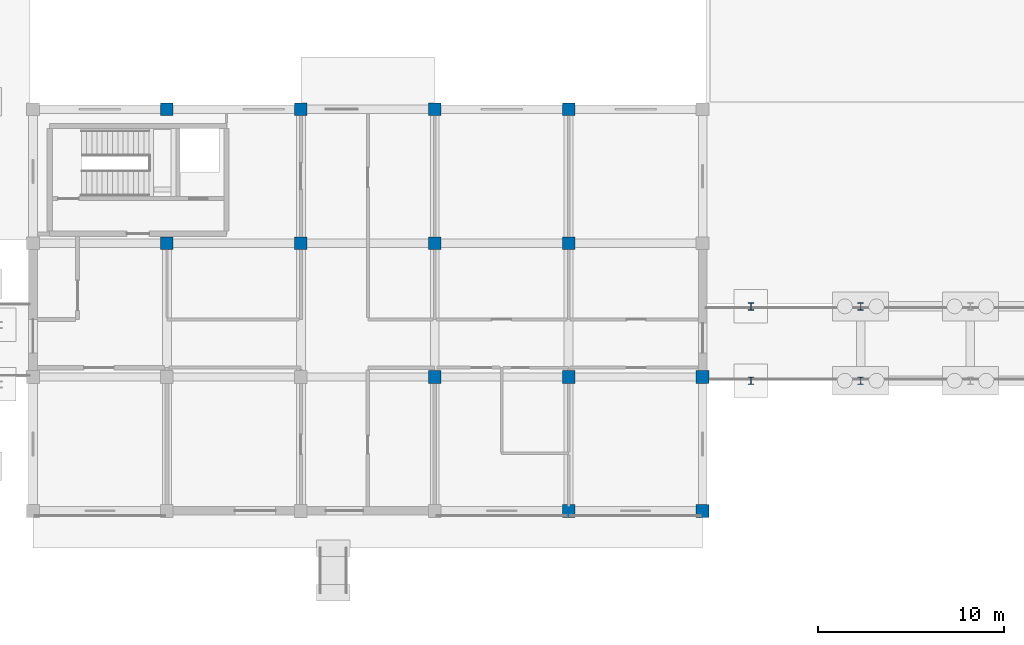
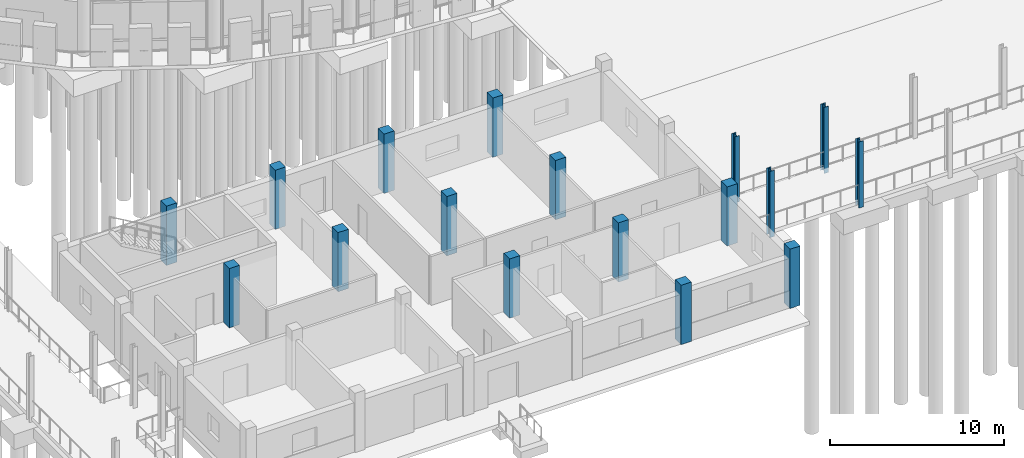
# One storey, part 9 of 98: 17 columns.
"""IFC4 building model written with IfcOpenShell, lengths in metres."""

from ifc_helpers import new_model, si_unit, direction, frame, origin, origin_2d, place, context, subcontext, project, spatial, rectangle, i_section, extrude, material, material_profile, profile_set, type_object, element, save


model = new_model("IFC4")

# Units and contexts
model_context = context("Model", 3, precision=1e-05, world=origin(), true_north=direction((0.0, 1.0)))
body_context = subcontext(model_context, "Body", "Model", "MODEL_VIEW")
ifc_project = project(units=[si_unit("LENGTHUNIT", "METRE"), si_unit("AREAUNIT", "SQUARE_METRE"), si_unit("VOLUMEUNIT", "CUBIC_METRE"), si_unit("PLANEANGLEUNIT", "RADIAN"), si_unit("MASSUNIT", "GRAM", prefix="KILO")], contexts=[model_context])

# Site, building, storey
site_placement = place(None, origin())
site = spatial("IfcSite", under=ifc_project, at=site_placement, CompositionType="ELEMENT")
building_placement = place(site_placement, origin())
building = spatial("IfcBuilding", under=site, at=building_placement, Name="Zornivar Specialist Clinic", CompositionType="ELEMENT")
storey_placement = place(building_placement, origin())
storey = spatial("IfcBuildingStorey", under=building, at=storey_placement, Name="L00", CompositionType="ELEMENT", Elevation=0.0)

# Columns
ifc_material_1 = material(Name="Concrete C35/45", Category="concrete")
ifc_material_profile_1 = material_profile(ifc_material_1, rectangle(XDim=0.679931640625, YDim=0.679931640625, at=origin_2d()), Name="RC 680x680")
ifc_profile_set_1 = profile_set([ifc_material_profile_1], Name="Concrete C35/45")
column_type_1 = type_object("IfcColumnType", Name="COL-RC-680", PredefinedType="COLUMN", material=ifc_profile_set_1)
for number, where, z_axis, x_axis, name in (
    (1, (64.800048828125, 14.39990234375, 0.0), (0.0, 0.0, 1.0), (1.0, 0.0, 0.0), "col:V3:L00:648_144"),
    (2, (64.800048828125, 21.60009765625, 0.0), (0.0, 0.0, 1.0), (1.0, 0.0, 0.0), "col:V3:L00:648_216"),
    (3, (72.0, 14.39990234375, 0.0), (0.0, 0.0, 1.0), (1.0, 0.0, 0.0), "col:V3:L00:720_144"),
    (4, (72.0, 21.60009765625, 0.0), (0.0, 0.0, 1.0), (1.0, 0.0, 0.0), "col:V3:L00:720_216"),
    (5, (79.199951171875, 7.199951171875, 0.0), (0.0, 0.0, 1.0), (1.0, 0.0, 0.0), "col:V3:L00:792_72"),
    (6, (79.199951171875, 14.39990234375, 0.0), (0.0, 0.0, 1.0), (1.0, 0.0, 0.0), "col:V3:L00:792_144"),
    (7, (79.199951171875, 21.60009765625, 0.0), (0.0, 0.0, 1.0), (1.0, 0.0, 0.0), "col:V3:L00:792_216"),
    (8, (86.39990234375, 0.0, 0.0), (0.0, 0.0, 1.0), (1.0, 0.0, 0.0), "col:V3:L00:864_0"),
    (9, (86.39990234375, 7.199951171875, 0.0), (0.0, 0.0, 1.0), (1.0, 0.0, 0.0), "col:V3:L00:864_72"),
    (10, (86.39990234375, 14.39990234375, 0.0), (0.0, 0.0, 1.0), (1.0, 0.0, 0.0), "col:V3:L00:864_144"),
    (11, (86.39990234375, 21.60009765625, 0.0), (0.0, 0.0, 1.0), (1.0, 0.0, 0.0), "col:V3:L00:864_216"),
    (12, (93.60009765625, 0.0, 0.0), (0.0, 0.0, 1.0), (1.0, 0.0, 0.0), "col:V3:L00:936_0"),
    (13, (93.60009765625, 7.199951171875, 0.0), (0.0, 0.0, 1.0), (1.0, 0.0, 0.0), "col:V3:L00:936_72"),
):
    element("IfcColumn", number, at=place(storey_placement, frame(where, z_axis=z_axis, x_axis=x_axis)), inside=storey, type_object=column_type_1, Name=name, PredefinedType="COLUMN", context=body_context, shape_type="SweptSolid", body=[
        extrude(rectangle(XDim=0.679931640625, YDim=0.679931640625, at=origin_2d()), origin(), (0.0, 0.0, 1.0), 4.14990234375),
    ])
ifc_material_2 = material(Name="Steel S355J2", Category="steel")
ifc_material_profile_2 = material_profile(ifc_material_2, i_section(OverallWidth=0.300048828125, OverallDepth=0.39990234375, WebThickness=0.013427734375, FlangeThickness=0.02392578125, FilletRadius=0.027099609375, at=origin_2d()), Name="HEB 400")
ifc_profile_set_2 = profile_set([ifc_material_profile_2], Name="Steel S355J2")
column_type_2 = type_object("IfcColumnType", Name="COL-STL-HEB400", PredefinedType="COLUMN", material=ifc_profile_set_2)
for number, where, z_axis, x_axis, name in (
    (14, (96.199951171875, 7.0, -0.35009765625), (0.0, 0.0, 1.0), (1.0, 0.0, 0.0), "col:BR4:L00:962_70"),
    (15, (96.199951171875, 11.0, -0.35009765625), (0.0, 0.0, 1.0), (1.0, 0.0, 0.0), "col:BR4:L00:962_110"),
    (16, (102.10009765625, 7.0, -0.35009765625), (0.0, 0.0, 1.0), (1.0, 0.0, 0.0), "col:BR4:L00:1021_70"),
    (17, (102.10009765625, 11.0, -0.35009765625), (0.0, 0.0, 1.0), (1.0, 0.0, 0.0), "col:BR4:L00:1021_110"),
):
    element("IfcColumn", number, at=place(storey_placement, frame(where, z_axis=z_axis, x_axis=x_axis)), inside=storey, type_object=column_type_2, Name=name, PredefinedType="COLUMN", context=body_context, shape_type="SweptSolid", body=[
        extrude(i_section(OverallWidth=0.300048828125, OverallDepth=0.39990234375, WebThickness=0.013427734375, FlangeThickness=0.02392578125, FilletRadius=0.027099609375, at=origin_2d()), origin(), (0.0, 0.0, 1.0), 4.630126953125),
    ])

save(model, "model.ifc")
